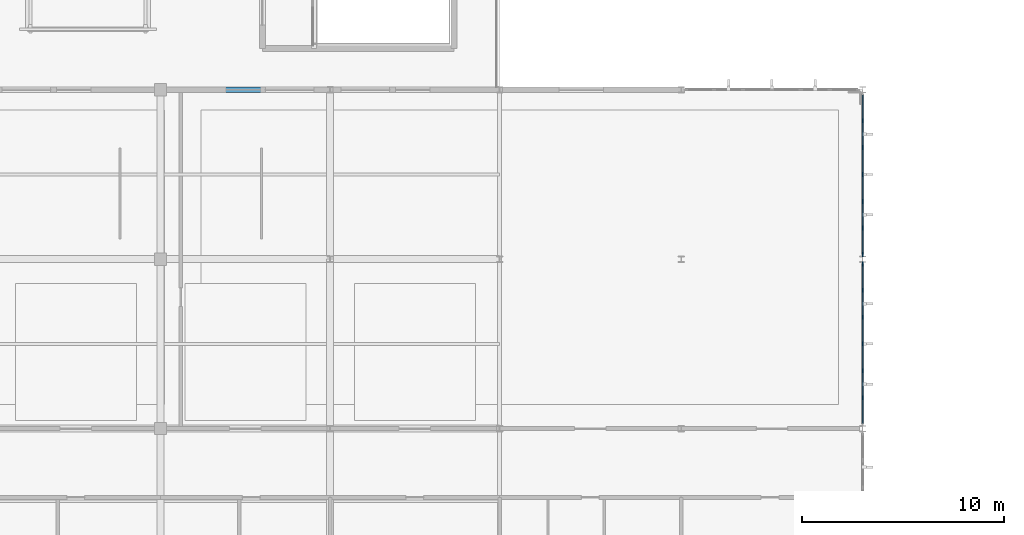
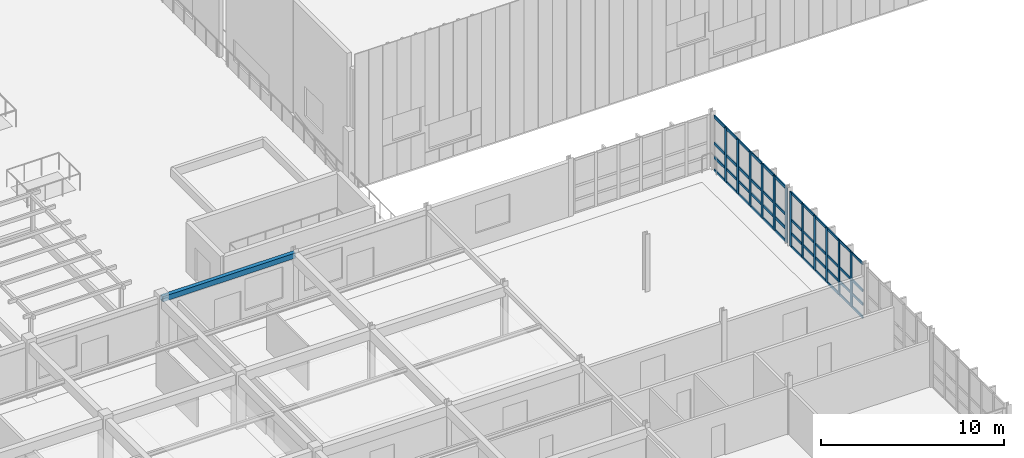
# One storey, part 16 of 67: 60 members, 1 beam, 2 elements without a shape of their own.
"""IFC4 building model written with IfcOpenShell, lengths in metres."""

from ifc_helpers import new_model, si_unit, direction, frame, origin, origin_2d, place, context, subcontext, project, spatial, rectangle, hollow_rectangle, extrude, material, material_profile, profile_set, type_object, element, aggregate, save


model = new_model("IFC4")

# Units and contexts
model_context = context("Model", 3, precision=1e-05, world=origin(), true_north=direction((0.0, 1.0)))
body_context = subcontext(model_context, "Body", "Model", "MODEL_VIEW")
ifc_project = project(units=[si_unit("LENGTHUNIT", "METRE"), si_unit("AREAUNIT", "SQUARE_METRE"), si_unit("VOLUMEUNIT", "CUBIC_METRE"), si_unit("PLANEANGLEUNIT", "RADIAN"), si_unit("MASSUNIT", "GRAM", prefix="KILO")], contexts=[model_context])

# Site, building, storey
site_placement = place(None, origin())
site = spatial("IfcSite", under=ifc_project, at=site_placement, CompositionType="ELEMENT")
building_placement = place(site_placement, origin())
building = spatial("IfcBuilding", under=site, at=building_placement, Name="Tizgana Railside Sports Hall", CompositionType="ELEMENT")
storey_placement = place(building_placement, frame((0.0, 0.0, 12.0)))
storey = spatial("IfcBuildingStorey", under=building, at=storey_placement, Name="L02", CompositionType="ELEMENT", Elevation=12.0)

# Curtain wall, members
ifc_material_1 = material(Name="Anodised aluminium and glass", Category="aluminium")
curtain_wall_type_1 = type_object("IfcCurtainWallType", Name="Unitised Curtain Wall Passage 1800", PredefinedType="NOTDEFINED", material=ifc_material_1)
curtain_wall_1_placement = place(storey_placement, origin())
curtain_wall_1 = element("IfcCurtainWall", 1, at=curtain_wall_1_placement, inside=storey, type_object=curtain_wall_type_1, Name="L02 Curtain Wall CW-0117", PredefinedType="NOTDEFINED")
ifc_material_2 = material(Name="Anodised aluminium", Category="aluminium")
ifc_material_profile_1 = material_profile(ifc_material_2, rectangle(XDim=0.06494140625, YDim=0.199951171875, at=origin_2d()), Name="Mullion 65x200")
ifc_profile_set_1 = profile_set([ifc_material_profile_1], Name="Anodised aluminium")
member_type_1 = type_object("IfcMemberType", Name="Mullion 65x200", PredefinedType="MULLION", material=ifc_profile_set_1)
member_1_placement = place(storey_placement, frame((97.800048828125, 23.762451171875, 0.0), z_axis=(0.0, 0.0, 1.0), x_axis=(1.0, 0.0, 0.0)))
member_1 = element("IfcMember", 2, at=member_1_placement, type_object=member_type_1, Name="CW-06 mullion 1", PredefinedType="MULLION", context=body_context, shape_type="SweptSolid", body=[
    extrude(rectangle(XDim=0.06494140625, YDim=0.199951171875, at=origin_2d()), origin(), (0.0, 0.0, 1.0), 3.639892578125),
])
member_2_placement = place(storey_placement, frame((97.800048828125, 22.46337890625, 0.0), z_axis=(0.0, 0.0, 1.0), x_axis=(1.0, 0.0, 0.0)))
member_2 = element("IfcMember", 3, at=member_2_placement, type_object=member_type_1, Name="CW-06 mullion 2", PredefinedType="MULLION", context=body_context, shape_type="SweptSolid", body=[
    extrude(rectangle(XDim=0.06494140625, YDim=0.199951171875, at=origin_2d()), origin(), (0.0, 0.0, 1.0), 3.639892578125),
])
member_3_placement = place(storey_placement, frame((97.800048828125, 21.131591796875, 0.0), z_axis=(0.0, 0.0, 1.0), x_axis=(1.0, 0.0, 0.0)))
member_3 = element("IfcMember", 4, at=member_3_placement, type_object=member_type_1, Name="CW-06 mullion 3", PredefinedType="MULLION", context=body_context, shape_type="SweptSolid", body=[
    extrude(rectangle(XDim=0.06494140625, YDim=0.199951171875, at=origin_2d()), origin(), (0.0, 0.0, 1.0), 3.639892578125),
])
member_4_placement = place(storey_placement, frame((97.800048828125, 19.800048828125, 0.0), z_axis=(0.0, 0.0, 1.0), x_axis=(1.0, 0.0, 0.0)))
member_4 = element("IfcMember", 5, at=member_4_placement, type_object=member_type_1, Name="CW-06 mullion 4", PredefinedType="MULLION", context=body_context, shape_type="SweptSolid", body=[
    extrude(rectangle(XDim=0.06494140625, YDim=0.199951171875, at=origin_2d()), origin(), (0.0, 0.0, 1.0), 3.639892578125),
])
member_5_placement = place(storey_placement, frame((97.800048828125, 18.46826171875, 0.0), z_axis=(0.0, 0.0, 1.0), x_axis=(1.0, 0.0, 0.0)))
member_5 = element("IfcMember", 6, at=member_5_placement, type_object=member_type_1, Name="CW-06 mullion 5", PredefinedType="MULLION", context=body_context, shape_type="SweptSolid", body=[
    extrude(rectangle(XDim=0.06494140625, YDim=0.199951171875, at=origin_2d()), origin(), (0.0, 0.0, 1.0), 3.639892578125),
])
member_6_placement = place(storey_placement, frame((97.800048828125, 17.13671875, 0.0), z_axis=(0.0, 0.0, 1.0), x_axis=(1.0, 0.0, 0.0)))
member_6 = element("IfcMember", 7, at=member_6_placement, type_object=member_type_1, Name="CW-06 mullion 6", PredefinedType="MULLION", context=body_context, shape_type="SweptSolid", body=[
    extrude(rectangle(XDim=0.06494140625, YDim=0.199951171875, at=origin_2d()), origin(), (0.0, 0.0, 1.0), 3.639892578125),
])

curtain_wall_type_2 = type_object("IfcCurtainWallType", Name="Unitised Curtain Wall WestHall 1560", PredefinedType="NOTDEFINED", material=ifc_material_1)
curtain_wall_2_placement = place(storey_placement, origin())
curtain_wall_2 = element("IfcCurtainWall", 8, at=curtain_wall_2_placement, inside=storey, type_object=curtain_wall_type_2, Name="L02 Curtain Wall CW-0118", PredefinedType="NOTDEFINED")
ifc_material_profile_2 = material_profile(ifc_material_2, rectangle(XDim=0.070068359375, YDim=0.219970703125, at=origin_2d()), Name="Mullion 70x220")
ifc_profile_set_2 = profile_set([ifc_material_profile_2], Name="Anodised aluminium")
member_type_2 = type_object("IfcMemberType", Name="Mullion 70x220", PredefinedType="MULLION", material=ifc_profile_set_2)
member_7_placement = place(storey_placement, frame((97.800048828125, 30.86328125, 0.0), z_axis=(0.0, 0.0, 1.0), x_axis=(1.0, 0.0, 0.0)))
member_7 = element("IfcMember", 9, at=member_7_placement, type_object=member_type_2, Name="CW-07 mullion 2", PredefinedType="MULLION", context=body_context, shape_type="SweptSolid", body=[
    extrude(rectangle(XDim=0.070068359375, YDim=0.219970703125, at=origin_2d()), origin(), (0.0, 0.0, 1.0), 3.639892578125),
])
member_8_placement = place(storey_placement, frame((97.800048828125, 29.53173828125, 0.0), z_axis=(0.0, 0.0, 1.0), x_axis=(1.0, 0.0, 0.0)))
member_8 = element("IfcMember", 10, at=member_8_placement, type_object=member_type_2, Name="CW-07 mullion 3", PredefinedType="MULLION", context=body_context, shape_type="SweptSolid", body=[
    extrude(rectangle(XDim=0.070068359375, YDim=0.219970703125, at=origin_2d()), origin(), (0.0, 0.0, 1.0), 3.639892578125),
])
member_9_placement = place(storey_placement, frame((97.800048828125, 28.199951171875, 0.0), z_axis=(0.0, 0.0, 1.0), x_axis=(1.0, 0.0, 0.0)))
member_9 = element("IfcMember", 11, at=member_9_placement, type_object=member_type_2, Name="CW-07 mullion 4", PredefinedType="MULLION", context=body_context, shape_type="SweptSolid", body=[
    extrude(rectangle(XDim=0.070068359375, YDim=0.219970703125, at=origin_2d()), origin(), (0.0, 0.0, 1.0), 3.639892578125),
])
member_10_placement = place(storey_placement, frame((97.800048828125, 26.868408203125, 0.0), z_axis=(0.0, 0.0, 1.0), x_axis=(1.0, 0.0, 0.0)))
member_10 = element("IfcMember", 12, at=member_10_placement, type_object=member_type_2, Name="CW-07 mullion 5", PredefinedType="MULLION", context=body_context, shape_type="SweptSolid", body=[
    extrude(rectangle(XDim=0.070068359375, YDim=0.219970703125, at=origin_2d()), origin(), (0.0, 0.0, 1.0), 3.639892578125),
])
member_11_placement = place(storey_placement, frame((97.800048828125, 25.53662109375, 0.0), z_axis=(0.0, 0.0, 1.0), x_axis=(1.0, 0.0, 0.0)))
member_11 = element("IfcMember", 13, at=member_11_placement, type_object=member_type_2, Name="CW-07 mullion 6", PredefinedType="MULLION", context=body_context, shape_type="SweptSolid", body=[
    extrude(rectangle(XDim=0.070068359375, YDim=0.219970703125, at=origin_2d()), origin(), (0.0, 0.0, 1.0), 3.639892578125),
])
member_12_placement = place(storey_placement, frame((97.800048828125, 24.239990234375, 0.0), z_axis=(0.0, 0.0, 1.0), x_axis=(1.0, 0.0, 0.0)))
member_12 = element("IfcMember", 14, at=member_12_placement, type_object=member_type_2, Name="CW-07 mullion 7", PredefinedType="MULLION", context=body_context, shape_type="SweptSolid", body=[
    extrude(rectangle(XDim=0.070068359375, YDim=0.219970703125, at=origin_2d()), origin(), (0.0, 0.0, 1.0), 3.639892578125),
])

# Beam
ifc_material_3 = material(Name="Steel S355J2", Category="steel")
ifc_material_profile_3 = material_profile(ifc_material_3, hollow_rectangle(XDim=0.25, YDim=0.35009765625, WallThickness=0.011962890625, at=origin_2d()), Name="RHS 350x250x12")
ifc_profile_set_3 = profile_set([ifc_material_profile_3], Name="Steel S355J2")
beam_type = type_object("IfcBeamType", Name="Steel Spandrel RHS 350x250x12", PredefinedType="SPANDREL", material=ifc_profile_set_3)
beam_placement = place(storey_placement, frame((63.0, 32.39990234375, 3.4609375), z_axis=(1.0, 0.0, 0.0), x_axis=(0.0, 1.0, 0.0)))
element("IfcBeam", 15, at=beam_placement, inside=storey, type_object=beam_type, Name="L02 BEM-0690", PredefinedType="SPANDREL", context=body_context, shape_type="SweptSolid", body=[
    extrude(hollow_rectangle(XDim=0.25, YDim=0.35009765625, WallThickness=0.011962890625, at=origin_2d()), origin(), (0.0, 0.0, 1.0), 8.39990234375),
])

# Member
ifc_material_profile_4 = material_profile(ifc_material_2, rectangle(XDim=0.06494140625, YDim=0.169921875, at=origin_2d()), Name="Transom 65x170")
ifc_profile_set_4 = profile_set([ifc_material_profile_4], Name="Anodised aluminium")
member_type_3 = type_object("IfcMemberType", Name="Transom 65x170", PredefinedType="USERDEFINED", material=ifc_profile_set_4)
member_13_placement = place(storey_placement, frame((97.800048828125, 23.72998046875, 0.032470703125), z_axis=(0.0, -1.0, 0.0), x_axis=(1.0, 0.0, 0.0)))
member_13 = element("IfcMember", 16, at=member_13_placement, type_object=member_type_3, Name="CW-06 transom 1.1", ObjectType="TRANSOM", PredefinedType="USERDEFINED", context=body_context, shape_type="SweptSolid", body=[
    extrude(rectangle(XDim=0.06494140625, YDim=0.169921875, at=origin_2d()), origin(), (0.0, 0.0, 1.0), 1.234130859375),
])

member_14_placement = place(storey_placement, frame((97.800048828125, 23.72998046875, 0.89990234375), z_axis=(0.0, -1.0, 0.0), x_axis=(1.0, 0.0, 0.0)))
member_14 = element("IfcMember", 17, at=member_14_placement, type_object=member_type_3, Name="CW-06 transom 1.2", ObjectType="TRANSOM", PredefinedType="USERDEFINED", context=body_context, shape_type="SweptSolid", body=[
    extrude(rectangle(XDim=0.06494140625, YDim=0.169921875, at=origin_2d()), origin(), (0.0, 0.0, 1.0), 1.234130859375),
])

member_15_placement = place(storey_placement, frame((97.800048828125, 23.72998046875, 1.820068359375), z_axis=(0.0, -1.0, 0.0), x_axis=(1.0, 0.0, 0.0)))
member_15 = element("IfcMember", 18, at=member_15_placement, type_object=member_type_3, Name="CW-06 transom 1.3", ObjectType="TRANSOM", PredefinedType="USERDEFINED", context=body_context, shape_type="SweptSolid", body=[
    extrude(rectangle(XDim=0.06494140625, YDim=0.169921875, at=origin_2d()), origin(), (0.0, 0.0, 1.0), 1.234130859375),
])

member_16_placement = place(storey_placement, frame((97.800048828125, 23.72998046875, 3.607421875), z_axis=(0.0, -1.0, 0.0), x_axis=(1.0, 0.0, 0.0)))
member_16 = element("IfcMember", 19, at=member_16_placement, type_object=member_type_3, Name="CW-06 transom 1.4", ObjectType="TRANSOM", PredefinedType="USERDEFINED", context=body_context, shape_type="SweptSolid", body=[
    extrude(rectangle(XDim=0.06494140625, YDim=0.169921875, at=origin_2d()), origin(), (0.0, 0.0, 1.0), 1.234130859375),
])

member_17_placement = place(storey_placement, frame((97.800048828125, 22.430908203125, 0.032470703125), z_axis=(0.0, -1.0, 0.0), x_axis=(1.0, 0.0, 0.0)))
member_17 = element("IfcMember", 20, at=member_17_placement, type_object=member_type_3, Name="CW-06 transom 2.1", ObjectType="TRANSOM", PredefinedType="USERDEFINED", context=body_context, shape_type="SweptSolid", body=[
    extrude(rectangle(XDim=0.06494140625, YDim=0.169921875, at=origin_2d()), origin(), (0.0, 0.0, 1.0), 1.266845703125),
])

member_18_placement = place(storey_placement, frame((97.800048828125, 22.430908203125, 0.89990234375), z_axis=(0.0, -1.0, 0.0), x_axis=(1.0, 0.0, 0.0)))
member_18 = element("IfcMember", 21, at=member_18_placement, type_object=member_type_3, Name="CW-06 transom 2.2", ObjectType="TRANSOM", PredefinedType="USERDEFINED", context=body_context, shape_type="SweptSolid", body=[
    extrude(rectangle(XDim=0.06494140625, YDim=0.169921875, at=origin_2d()), origin(), (0.0, 0.0, 1.0), 1.266845703125),
])

member_19_placement = place(storey_placement, frame((97.800048828125, 22.430908203125, 1.820068359375), z_axis=(0.0, -1.0, 0.0), x_axis=(1.0, 0.0, 0.0)))
member_19 = element("IfcMember", 22, at=member_19_placement, type_object=member_type_3, Name="CW-06 transom 2.3", ObjectType="TRANSOM", PredefinedType="USERDEFINED", context=body_context, shape_type="SweptSolid", body=[
    extrude(rectangle(XDim=0.06494140625, YDim=0.169921875, at=origin_2d()), origin(), (0.0, 0.0, 1.0), 1.266845703125),
])

member_20_placement = place(storey_placement, frame((97.800048828125, 22.430908203125, 3.607421875), z_axis=(0.0, -1.0, 0.0), x_axis=(1.0, 0.0, 0.0)))
member_20 = element("IfcMember", 23, at=member_20_placement, type_object=member_type_3, Name="CW-06 transom 2.4", ObjectType="TRANSOM", PredefinedType="USERDEFINED", context=body_context, shape_type="SweptSolid", body=[
    extrude(rectangle(XDim=0.06494140625, YDim=0.169921875, at=origin_2d()), origin(), (0.0, 0.0, 1.0), 1.266845703125),
])

member_21_placement = place(storey_placement, frame((97.800048828125, 21.09912109375, 0.032470703125), z_axis=(0.0, -1.0, 0.0), x_axis=(1.0, 0.0, 0.0)))
member_21 = element("IfcMember", 24, at=member_21_placement, type_object=member_type_3, Name="CW-06 transom 3.1", ObjectType="TRANSOM", PredefinedType="USERDEFINED", context=body_context, shape_type="SweptSolid", body=[
    extrude(rectangle(XDim=0.06494140625, YDim=0.169921875, at=origin_2d()), origin(), (0.0, 0.0, 1.0), 1.2666015625),
])

member_22_placement = place(storey_placement, frame((97.800048828125, 21.09912109375, 0.89990234375), z_axis=(0.0, -1.0, 0.0), x_axis=(1.0, 0.0, 0.0)))
member_22 = element("IfcMember", 25, at=member_22_placement, type_object=member_type_3, Name="CW-06 transom 3.2", ObjectType="TRANSOM", PredefinedType="USERDEFINED", context=body_context, shape_type="SweptSolid", body=[
    extrude(rectangle(XDim=0.06494140625, YDim=0.169921875, at=origin_2d()), origin(), (0.0, 0.0, 1.0), 1.2666015625),
])

member_23_placement = place(storey_placement, frame((97.800048828125, 21.09912109375, 1.820068359375), z_axis=(0.0, -1.0, 0.0), x_axis=(1.0, 0.0, 0.0)))
member_23 = element("IfcMember", 26, at=member_23_placement, type_object=member_type_3, Name="CW-06 transom 3.3", ObjectType="TRANSOM", PredefinedType="USERDEFINED", context=body_context, shape_type="SweptSolid", body=[
    extrude(rectangle(XDim=0.06494140625, YDim=0.169921875, at=origin_2d()), origin(), (0.0, 0.0, 1.0), 1.2666015625),
])

member_24_placement = place(storey_placement, frame((97.800048828125, 21.09912109375, 3.607421875), z_axis=(0.0, -1.0, 0.0), x_axis=(1.0, 0.0, 0.0)))
member_24 = element("IfcMember", 27, at=member_24_placement, type_object=member_type_3, Name="CW-06 transom 3.4", ObjectType="TRANSOM", PredefinedType="USERDEFINED", context=body_context, shape_type="SweptSolid", body=[
    extrude(rectangle(XDim=0.06494140625, YDim=0.169921875, at=origin_2d()), origin(), (0.0, 0.0, 1.0), 1.2666015625),
])

member_25_placement = place(storey_placement, frame((97.800048828125, 19.767578125, 0.032470703125), z_axis=(0.0, -1.0, 0.0), x_axis=(1.0, 0.0, 0.0)))
member_25 = element("IfcMember", 28, at=member_25_placement, type_object=member_type_3, Name="CW-06 transom 4.1", ObjectType="TRANSOM", PredefinedType="USERDEFINED", context=body_context, shape_type="SweptSolid", body=[
    extrude(rectangle(XDim=0.06494140625, YDim=0.169921875, at=origin_2d()), origin(), (0.0, 0.0, 1.0), 1.266845703125),
])

member_26_placement = place(storey_placement, frame((97.800048828125, 19.767578125, 0.89990234375), z_axis=(0.0, -1.0, 0.0), x_axis=(1.0, 0.0, 0.0)))
member_26 = element("IfcMember", 29, at=member_26_placement, type_object=member_type_3, Name="CW-06 transom 4.2", ObjectType="TRANSOM", PredefinedType="USERDEFINED", context=body_context, shape_type="SweptSolid", body=[
    extrude(rectangle(XDim=0.06494140625, YDim=0.169921875, at=origin_2d()), origin(), (0.0, 0.0, 1.0), 1.266845703125),
])

member_27_placement = place(storey_placement, frame((97.800048828125, 19.767578125, 1.820068359375), z_axis=(0.0, -1.0, 0.0), x_axis=(1.0, 0.0, 0.0)))
member_27 = element("IfcMember", 30, at=member_27_placement, type_object=member_type_3, Name="CW-06 transom 4.3", ObjectType="TRANSOM", PredefinedType="USERDEFINED", context=body_context, shape_type="SweptSolid", body=[
    extrude(rectangle(XDim=0.06494140625, YDim=0.169921875, at=origin_2d()), origin(), (0.0, 0.0, 1.0), 1.266845703125),
])

member_28_placement = place(storey_placement, frame((97.800048828125, 19.767578125, 3.607421875), z_axis=(0.0, -1.0, 0.0), x_axis=(1.0, 0.0, 0.0)))
member_28 = element("IfcMember", 31, at=member_28_placement, type_object=member_type_3, Name="CW-06 transom 4.4", ObjectType="TRANSOM", PredefinedType="USERDEFINED", context=body_context, shape_type="SweptSolid", body=[
    extrude(rectangle(XDim=0.06494140625, YDim=0.169921875, at=origin_2d()), origin(), (0.0, 0.0, 1.0), 1.266845703125),
])

member_29_placement = place(storey_placement, frame((97.800048828125, 18.435791015625, 0.032470703125), z_axis=(0.0, -1.0, 0.0), x_axis=(1.0, 0.0, 0.0)))
member_29 = element("IfcMember", 32, at=member_29_placement, type_object=member_type_3, Name="CW-06 transom 5.1", ObjectType="TRANSOM", PredefinedType="USERDEFINED", context=body_context, shape_type="SweptSolid", body=[
    extrude(rectangle(XDim=0.06494140625, YDim=0.169921875, at=origin_2d()), origin(), (0.0, 0.0, 1.0), 1.2666015625),
])

member_30_placement = place(storey_placement, frame((97.800048828125, 18.435791015625, 0.89990234375), z_axis=(0.0, -1.0, 0.0), x_axis=(1.0, 0.0, 0.0)))
member_30 = element("IfcMember", 33, at=member_30_placement, type_object=member_type_3, Name="CW-06 transom 5.2", ObjectType="TRANSOM", PredefinedType="USERDEFINED", context=body_context, shape_type="SweptSolid", body=[
    extrude(rectangle(XDim=0.06494140625, YDim=0.169921875, at=origin_2d()), origin(), (0.0, 0.0, 1.0), 1.2666015625),
])

member_31_placement = place(storey_placement, frame((97.800048828125, 18.435791015625, 1.820068359375), z_axis=(0.0, -1.0, 0.0), x_axis=(1.0, 0.0, 0.0)))
member_31 = element("IfcMember", 34, at=member_31_placement, type_object=member_type_3, Name="CW-06 transom 5.3", ObjectType="TRANSOM", PredefinedType="USERDEFINED", context=body_context, shape_type="SweptSolid", body=[
    extrude(rectangle(XDim=0.06494140625, YDim=0.169921875, at=origin_2d()), origin(), (0.0, 0.0, 1.0), 1.2666015625),
])

member_32_placement = place(storey_placement, frame((97.800048828125, 18.435791015625, 3.607421875), z_axis=(0.0, -1.0, 0.0), x_axis=(1.0, 0.0, 0.0)))
member_32 = element("IfcMember", 35, at=member_32_placement, type_object=member_type_3, Name="CW-06 transom 5.4", ObjectType="TRANSOM", PredefinedType="USERDEFINED", context=body_context, shape_type="SweptSolid", body=[
    extrude(rectangle(XDim=0.06494140625, YDim=0.169921875, at=origin_2d()), origin(), (0.0, 0.0, 1.0), 1.2666015625),
])

member_33_placement = place(storey_placement, frame((97.800048828125, 17.104248046875, 0.032470703125), z_axis=(0.0, -1.0, 0.0), x_axis=(1.0, 0.0, 0.0)))
member_33 = element("IfcMember", 36, at=member_33_placement, type_object=member_type_3, Name="CW-06 transom 6.1", ObjectType="TRANSOM", PredefinedType="USERDEFINED", context=body_context, shape_type="SweptSolid", body=[
    extrude(rectangle(XDim=0.06494140625, YDim=0.169921875, at=origin_2d()), origin(), (0.0, 0.0, 1.0), 1.234130859375),
])

member_34_placement = place(storey_placement, frame((97.800048828125, 17.104248046875, 0.89990234375), z_axis=(0.0, -1.0, 0.0), x_axis=(1.0, 0.0, 0.0)))
member_34 = element("IfcMember", 37, at=member_34_placement, type_object=member_type_3, Name="CW-06 transom 6.2", ObjectType="TRANSOM", PredefinedType="USERDEFINED", context=body_context, shape_type="SweptSolid", body=[
    extrude(rectangle(XDim=0.06494140625, YDim=0.169921875, at=origin_2d()), origin(), (0.0, 0.0, 1.0), 1.234130859375),
])

member_35_placement = place(storey_placement, frame((97.800048828125, 17.104248046875, 1.820068359375), z_axis=(0.0, -1.0, 0.0), x_axis=(1.0, 0.0, 0.0)))
member_35 = element("IfcMember", 38, at=member_35_placement, type_object=member_type_3, Name="CW-06 transom 6.3", ObjectType="TRANSOM", PredefinedType="USERDEFINED", context=body_context, shape_type="SweptSolid", body=[
    extrude(rectangle(XDim=0.06494140625, YDim=0.169921875, at=origin_2d()), origin(), (0.0, 0.0, 1.0), 1.234130859375),
])

member_36_placement = place(storey_placement, frame((97.800048828125, 17.104248046875, 3.607421875), z_axis=(0.0, -1.0, 0.0), x_axis=(1.0, 0.0, 0.0)))
member_36 = element("IfcMember", 39, at=member_36_placement, type_object=member_type_3, Name="CW-06 transom 6.4", ObjectType="TRANSOM", PredefinedType="USERDEFINED", context=body_context, shape_type="SweptSolid", body=[
    extrude(rectangle(XDim=0.06494140625, YDim=0.169921875, at=origin_2d()), origin(), (0.0, 0.0, 1.0), 1.234130859375),
])

aggregate(curtain_wall_1, [member_1, member_2, member_3, member_4, member_5, member_6, member_13, member_14, member_15, member_16, member_17, member_18, member_19, member_20, member_21, member_22, member_23, member_24, member_25, member_26, member_27, member_28, member_29, member_30, member_31, member_32, member_33, member_34, member_35, member_36])

ifc_material_profile_5 = material_profile(ifc_material_2, rectangle(XDim=0.070068359375, YDim=0.18994140625, at=origin_2d()), Name="Transom 70x190")
ifc_profile_set_5 = profile_set([ifc_material_profile_5], Name="Anodised aluminium")
member_type_4 = type_object("IfcMemberType", Name="Transom 70x190", PredefinedType="USERDEFINED", material=ifc_profile_set_5)
member_37_placement = place(storey_placement, frame((97.800048828125, 32.125, 0.034912109375), z_axis=(0.0, -1.0, 0.0), x_axis=(1.0, 0.0, 0.0)))
member_37 = element("IfcMember", 40, at=member_37_placement, type_object=member_type_4, Name="CW-07 transom 1.1", ObjectType="TRANSOM", PredefinedType="USERDEFINED", context=body_context, shape_type="SweptSolid", body=[
    extrude(rectangle(XDim=0.070068359375, YDim=0.18994140625, at=origin_2d()), origin(), (0.0, 0.0, 1.0), 1.2265625),
])

member_38_placement = place(storey_placement, frame((97.800048828125, 32.125, 0.89990234375), z_axis=(0.0, -1.0, 0.0), x_axis=(1.0, 0.0, 0.0)))
member_38 = element("IfcMember", 41, at=member_38_placement, type_object=member_type_4, Name="CW-07 transom 1.2", ObjectType="TRANSOM", PredefinedType="USERDEFINED", context=body_context, shape_type="SweptSolid", body=[
    extrude(rectangle(XDim=0.070068359375, YDim=0.18994140625, at=origin_2d()), origin(), (0.0, 0.0, 1.0), 1.2265625),
])

member_39_placement = place(storey_placement, frame((97.800048828125, 32.125, 1.820068359375), z_axis=(0.0, -1.0, 0.0), x_axis=(1.0, 0.0, 0.0)))
member_39 = element("IfcMember", 42, at=member_39_placement, type_object=member_type_4, Name="CW-07 transom 1.3", ObjectType="TRANSOM", PredefinedType="USERDEFINED", context=body_context, shape_type="SweptSolid", body=[
    extrude(rectangle(XDim=0.070068359375, YDim=0.18994140625, at=origin_2d()), origin(), (0.0, 0.0, 1.0), 1.2265625),
])

member_40_placement = place(storey_placement, frame((97.800048828125, 32.125, 3.60498046875), z_axis=(0.0, -1.0, 0.0), x_axis=(1.0, 0.0, 0.0)))
member_40 = element("IfcMember", 43, at=member_40_placement, type_object=member_type_4, Name="CW-07 transom 1.4", ObjectType="TRANSOM", PredefinedType="USERDEFINED", context=body_context, shape_type="SweptSolid", body=[
    extrude(rectangle(XDim=0.070068359375, YDim=0.18994140625, at=origin_2d()), origin(), (0.0, 0.0, 1.0), 1.2265625),
])

member_41_placement = place(storey_placement, frame((97.800048828125, 30.828369140625, 0.034912109375), z_axis=(0.0, -1.0, 0.0), x_axis=(1.0, 0.0, 0.0)))
member_41 = element("IfcMember", 44, at=member_41_placement, type_object=member_type_4, Name="CW-07 transom 2.1", ObjectType="TRANSOM", PredefinedType="USERDEFINED", context=body_context, shape_type="SweptSolid", body=[
    extrude(rectangle(XDim=0.070068359375, YDim=0.18994140625, at=origin_2d()), origin(), (0.0, 0.0, 1.0), 1.26171875),
])

member_42_placement = place(storey_placement, frame((97.800048828125, 30.828369140625, 0.89990234375), z_axis=(0.0, -1.0, 0.0), x_axis=(1.0, 0.0, 0.0)))
member_42 = element("IfcMember", 45, at=member_42_placement, type_object=member_type_4, Name="CW-07 transom 2.2", ObjectType="TRANSOM", PredefinedType="USERDEFINED", context=body_context, shape_type="SweptSolid", body=[
    extrude(rectangle(XDim=0.070068359375, YDim=0.18994140625, at=origin_2d()), origin(), (0.0, 0.0, 1.0), 1.26171875),
])

member_43_placement = place(storey_placement, frame((97.800048828125, 30.828369140625, 1.820068359375), z_axis=(0.0, -1.0, 0.0), x_axis=(1.0, 0.0, 0.0)))
member_43 = element("IfcMember", 46, at=member_43_placement, type_object=member_type_4, Name="CW-07 transom 2.3", ObjectType="TRANSOM", PredefinedType="USERDEFINED", context=body_context, shape_type="SweptSolid", body=[
    extrude(rectangle(XDim=0.070068359375, YDim=0.18994140625, at=origin_2d()), origin(), (0.0, 0.0, 1.0), 1.26171875),
])

member_44_placement = place(storey_placement, frame((97.800048828125, 30.828369140625, 3.60498046875), z_axis=(0.0, -1.0, 0.0), x_axis=(1.0, 0.0, 0.0)))
member_44 = element("IfcMember", 47, at=member_44_placement, type_object=member_type_4, Name="CW-07 transom 2.4", ObjectType="TRANSOM", PredefinedType="USERDEFINED", context=body_context, shape_type="SweptSolid", body=[
    extrude(rectangle(XDim=0.070068359375, YDim=0.18994140625, at=origin_2d()), origin(), (0.0, 0.0, 1.0), 1.26171875),
])

member_45_placement = place(storey_placement, frame((97.800048828125, 29.49658203125, 0.034912109375), z_axis=(0.0, -1.0, 0.0), x_axis=(1.0, 0.0, 0.0)))
member_45 = element("IfcMember", 48, at=member_45_placement, type_object=member_type_4, Name="CW-07 transom 3.1", ObjectType="TRANSOM", PredefinedType="USERDEFINED", context=body_context, shape_type="SweptSolid", body=[
    extrude(rectangle(XDim=0.070068359375, YDim=0.18994140625, at=origin_2d()), origin(), (0.0, 0.0, 1.0), 1.261474609375),
])

member_46_placement = place(storey_placement, frame((97.800048828125, 29.49658203125, 0.89990234375), z_axis=(0.0, -1.0, 0.0), x_axis=(1.0, 0.0, 0.0)))
member_46 = element("IfcMember", 49, at=member_46_placement, type_object=member_type_4, Name="CW-07 transom 3.2", ObjectType="TRANSOM", PredefinedType="USERDEFINED", context=body_context, shape_type="SweptSolid", body=[
    extrude(rectangle(XDim=0.070068359375, YDim=0.18994140625, at=origin_2d()), origin(), (0.0, 0.0, 1.0), 1.261474609375),
])

member_47_placement = place(storey_placement, frame((97.800048828125, 29.49658203125, 1.820068359375), z_axis=(0.0, -1.0, 0.0), x_axis=(1.0, 0.0, 0.0)))
member_47 = element("IfcMember", 50, at=member_47_placement, type_object=member_type_4, Name="CW-07 transom 3.3", ObjectType="TRANSOM", PredefinedType="USERDEFINED", context=body_context, shape_type="SweptSolid", body=[
    extrude(rectangle(XDim=0.070068359375, YDim=0.18994140625, at=origin_2d()), origin(), (0.0, 0.0, 1.0), 1.261474609375),
])

member_48_placement = place(storey_placement, frame((97.800048828125, 29.49658203125, 3.60498046875), z_axis=(0.0, -1.0, 0.0), x_axis=(1.0, 0.0, 0.0)))
member_48 = element("IfcMember", 51, at=member_48_placement, type_object=member_type_4, Name="CW-07 transom 3.4", ObjectType="TRANSOM", PredefinedType="USERDEFINED", context=body_context, shape_type="SweptSolid", body=[
    extrude(rectangle(XDim=0.070068359375, YDim=0.18994140625, at=origin_2d()), origin(), (0.0, 0.0, 1.0), 1.261474609375),
])

member_49_placement = place(storey_placement, frame((97.800048828125, 28.1650390625, 0.034912109375), z_axis=(0.0, -1.0, 0.0), x_axis=(1.0, 0.0, 0.0)))
member_49 = element("IfcMember", 52, at=member_49_placement, type_object=member_type_4, Name="CW-07 transom 4.1", ObjectType="TRANSOM", PredefinedType="USERDEFINED", context=body_context, shape_type="SweptSolid", body=[
    extrude(rectangle(XDim=0.070068359375, YDim=0.18994140625, at=origin_2d()), origin(), (0.0, 0.0, 1.0), 1.26171875),
])

member_50_placement = place(storey_placement, frame((97.800048828125, 28.1650390625, 0.89990234375), z_axis=(0.0, -1.0, 0.0), x_axis=(1.0, 0.0, 0.0)))
member_50 = element("IfcMember", 53, at=member_50_placement, type_object=member_type_4, Name="CW-07 transom 4.2", ObjectType="TRANSOM", PredefinedType="USERDEFINED", context=body_context, shape_type="SweptSolid", body=[
    extrude(rectangle(XDim=0.070068359375, YDim=0.18994140625, at=origin_2d()), origin(), (0.0, 0.0, 1.0), 1.26171875),
])

member_51_placement = place(storey_placement, frame((97.800048828125, 28.1650390625, 1.820068359375), z_axis=(0.0, -1.0, 0.0), x_axis=(1.0, 0.0, 0.0)))
member_51 = element("IfcMember", 54, at=member_51_placement, type_object=member_type_4, Name="CW-07 transom 4.3", ObjectType="TRANSOM", PredefinedType="USERDEFINED", context=body_context, shape_type="SweptSolid", body=[
    extrude(rectangle(XDim=0.070068359375, YDim=0.18994140625, at=origin_2d()), origin(), (0.0, 0.0, 1.0), 1.26171875),
])

member_52_placement = place(storey_placement, frame((97.800048828125, 28.1650390625, 3.60498046875), z_axis=(0.0, -1.0, 0.0), x_axis=(1.0, 0.0, 0.0)))
member_52 = element("IfcMember", 55, at=member_52_placement, type_object=member_type_4, Name="CW-07 transom 4.4", ObjectType="TRANSOM", PredefinedType="USERDEFINED", context=body_context, shape_type="SweptSolid", body=[
    extrude(rectangle(XDim=0.070068359375, YDim=0.18994140625, at=origin_2d()), origin(), (0.0, 0.0, 1.0), 1.26171875),
])

member_53_placement = place(storey_placement, frame((97.800048828125, 26.833251953125, 0.034912109375), z_axis=(0.0, -1.0, 0.0), x_axis=(1.0, 0.0, 0.0)))
member_53 = element("IfcMember", 56, at=member_53_placement, type_object=member_type_4, Name="CW-07 transom 5.1", ObjectType="TRANSOM", PredefinedType="USERDEFINED", context=body_context, shape_type="SweptSolid", body=[
    extrude(rectangle(XDim=0.070068359375, YDim=0.18994140625, at=origin_2d()), origin(), (0.0, 0.0, 1.0), 1.261474609375),
])

member_54_placement = place(storey_placement, frame((97.800048828125, 26.833251953125, 0.89990234375), z_axis=(0.0, -1.0, 0.0), x_axis=(1.0, 0.0, 0.0)))
member_54 = element("IfcMember", 57, at=member_54_placement, type_object=member_type_4, Name="CW-07 transom 5.2", ObjectType="TRANSOM", PredefinedType="USERDEFINED", context=body_context, shape_type="SweptSolid", body=[
    extrude(rectangle(XDim=0.070068359375, YDim=0.18994140625, at=origin_2d()), origin(), (0.0, 0.0, 1.0), 1.261474609375),
])

member_55_placement = place(storey_placement, frame((97.800048828125, 26.833251953125, 1.820068359375), z_axis=(0.0, -1.0, 0.0), x_axis=(1.0, 0.0, 0.0)))
member_55 = element("IfcMember", 58, at=member_55_placement, type_object=member_type_4, Name="CW-07 transom 5.3", ObjectType="TRANSOM", PredefinedType="USERDEFINED", context=body_context, shape_type="SweptSolid", body=[
    extrude(rectangle(XDim=0.070068359375, YDim=0.18994140625, at=origin_2d()), origin(), (0.0, 0.0, 1.0), 1.261474609375),
])

member_56_placement = place(storey_placement, frame((97.800048828125, 26.833251953125, 3.60498046875), z_axis=(0.0, -1.0, 0.0), x_axis=(1.0, 0.0, 0.0)))
member_56 = element("IfcMember", 59, at=member_56_placement, type_object=member_type_4, Name="CW-07 transom 5.4", ObjectType="TRANSOM", PredefinedType="USERDEFINED", context=body_context, shape_type="SweptSolid", body=[
    extrude(rectangle(XDim=0.070068359375, YDim=0.18994140625, at=origin_2d()), origin(), (0.0, 0.0, 1.0), 1.261474609375),
])

member_57_placement = place(storey_placement, frame((97.800048828125, 25.501708984375, 0.034912109375), z_axis=(0.0, -1.0, 0.0), x_axis=(1.0, 0.0, 0.0)))
member_57 = element("IfcMember", 60, at=member_57_placement, type_object=member_type_4, Name="CW-07 transom 6.1", ObjectType="TRANSOM", PredefinedType="USERDEFINED", context=body_context, shape_type="SweptSolid", body=[
    extrude(rectangle(XDim=0.070068359375, YDim=0.18994140625, at=origin_2d()), origin(), (0.0, 0.0, 1.0), 1.226806640625),
])

member_58_placement = place(storey_placement, frame((97.800048828125, 25.501708984375, 0.89990234375), z_axis=(0.0, -1.0, 0.0), x_axis=(1.0, 0.0, 0.0)))
member_58 = element("IfcMember", 61, at=member_58_placement, type_object=member_type_4, Name="CW-07 transom 6.2", ObjectType="TRANSOM", PredefinedType="USERDEFINED", context=body_context, shape_type="SweptSolid", body=[
    extrude(rectangle(XDim=0.070068359375, YDim=0.18994140625, at=origin_2d()), origin(), (0.0, 0.0, 1.0), 1.226806640625),
])

member_59_placement = place(storey_placement, frame((97.800048828125, 25.501708984375, 1.820068359375), z_axis=(0.0, -1.0, 0.0), x_axis=(1.0, 0.0, 0.0)))
member_59 = element("IfcMember", 62, at=member_59_placement, type_object=member_type_4, Name="CW-07 transom 6.3", ObjectType="TRANSOM", PredefinedType="USERDEFINED", context=body_context, shape_type="SweptSolid", body=[
    extrude(rectangle(XDim=0.070068359375, YDim=0.18994140625, at=origin_2d()), origin(), (0.0, 0.0, 1.0), 1.226806640625),
])

member_60_placement = place(storey_placement, frame((97.800048828125, 25.501708984375, 3.60498046875), z_axis=(0.0, -1.0, 0.0), x_axis=(1.0, 0.0, 0.0)))
member_60 = element("IfcMember", 63, at=member_60_placement, type_object=member_type_4, Name="CW-07 transom 6.4", ObjectType="TRANSOM", PredefinedType="USERDEFINED", context=body_context, shape_type="SweptSolid", body=[
    extrude(rectangle(XDim=0.070068359375, YDim=0.18994140625, at=origin_2d()), origin(), (0.0, 0.0, 1.0), 1.226806640625),
])

aggregate(curtain_wall_2, [member_7, member_8, member_9, member_10, member_11, member_12, member_37, member_38, member_39, member_40, member_41, member_42, member_43, member_44, member_45, member_46, member_47, member_48, member_49, member_50, member_51, member_52, member_53, member_54, member_55, member_56, member_57, member_58, member_59, member_60])

save(model, "model.ifc")
